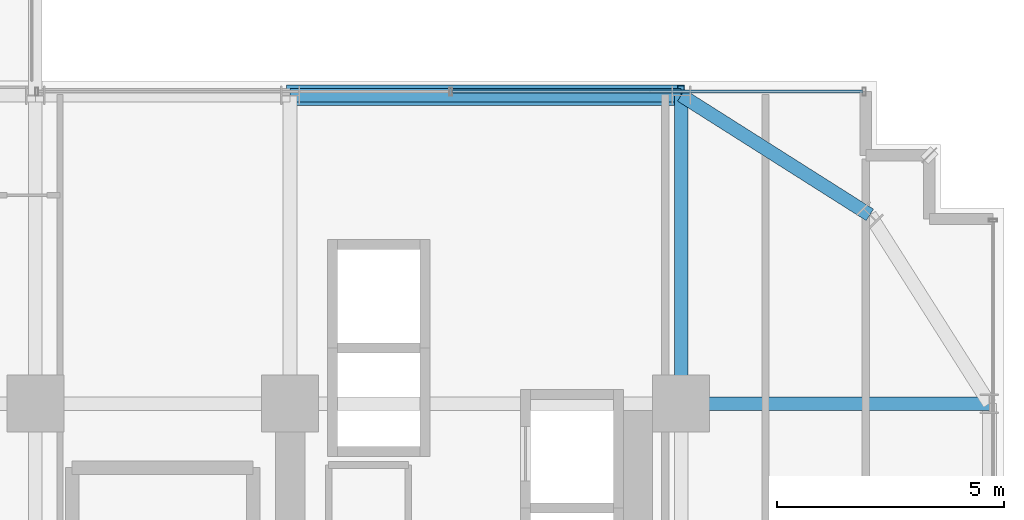
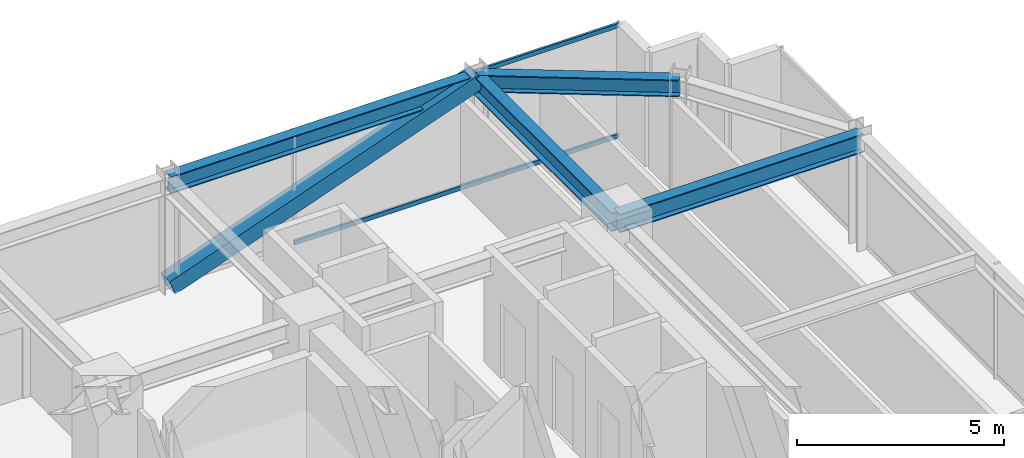
# One storey, part 23 of 40: 4 beams, 3 members, 1 element without a shape of its own.
"""IFC4 building model written with IfcOpenShell, lengths in metres."""

from ifc_helpers import new_model, si_unit, direction, frame, origin, origin_2d, place, context, subcontext, project, spatial, hollow_rectangle, i_section, extrude, source, transform, mapped, material, material_profile, profile_set, type_object, element, aggregate, save


model = new_model("IFC4")

# Units and contexts
model_context = context("Model", 3, precision=1e-05, world=origin(), true_north=direction((0.0, 1.0)))
body_context = subcontext(model_context, "Body", "Model", "MODEL_VIEW")
ifc_project = project(units=[si_unit("LENGTHUNIT", "METRE"), si_unit("AREAUNIT", "SQUARE_METRE"), si_unit("VOLUMEUNIT", "CUBIC_METRE"), si_unit("PLANEANGLEUNIT", "RADIAN"), si_unit("MASSUNIT", "GRAM", prefix="KILO")], contexts=[model_context])

# Site, building, storey
site_placement = place(None, origin())
site = spatial("IfcSite", under=ifc_project, at=site_placement, CompositionType="ELEMENT")
building_placement = place(site_placement, origin())
building = spatial("IfcBuilding", under=site, at=building_placement, Name="Nahalor Promenade Grand Hotel", CompositionType="ELEMENT")
storey_placement = place(building_placement, frame((0.0, 0.0, 91.949951171875)))
storey = spatial("IfcBuildingStorey", under=building, at=storey_placement, Name="L22", CompositionType="ELEMENT", Elevation=91.949951171875)

# Beams
ifc_material_1 = material(Name="Steel S355JR", Category="steel")
ifc_material_profile_1 = material_profile(ifc_material_1, i_section(OverallWidth=0.3, OverallDepth=0.5, WebThickness=0.0145, FlangeThickness=0.028, at=origin_2d()), Name="HEB 500")
ifc_profile_set_1 = profile_set([ifc_material_profile_1], Name="Steel S355JR")
beam_type_1 = type_object("IfcBeamType", Name="Beam-Spandrel-HEB500", PredefinedType="SPANDREL", material=ifc_profile_set_1)
shared_shape_1 = source(origin(), body_context, "Body", "SweptSolid", [
    extrude(i_section(OverallWidth=0.3, OverallDepth=0.5, WebThickness=0.0145, FlangeThickness=0.028, at=origin_2d()), origin(), (0.0, 0.0, 1.0), 8.60009765625),
])
beam_1_placement = place(storey_placement, frame((8.39990234375, 23.780029296875, 3.130126953125), z_axis=(1.0, 0.0, 0.0), x_axis=(0.0, 1.0, 0.0)))
element("IfcBeam", 1, at=beam_1_placement, inside=storey, type_object=beam_type_1, Name="BM-L22-SP-N-4", PredefinedType="SPANDREL", context=body_context, shape_type="MappedRepresentation", body=[
    mapped(shared_shape_1, transform((0.0, 0.0, 0.0), scale=1.0)),
])
shared_shape_2 = source(origin(), body_context, "Body", "SweptSolid", [
    extrude(i_section(OverallWidth=0.3, OverallDepth=0.5, WebThickness=0.0145, FlangeThickness=0.028, at=origin_2d()), origin(), (0.0, 0.0, 1.0), 4.9130859375),
])
beam_2_placement = place(storey_placement, frame((17.0, 23.780029296875, 3.130126953125), z_axis=(0.844648325505, -0.535321591403, 0.0), x_axis=(0.535321591403, 0.844648325505, 0.0)))
element("IfcBeam", 2, at=beam_2_placement, inside=storey, type_object=beam_type_1, Name="BM-L22-SPC-NE-1", PredefinedType="SPANDREL", context=body_context, shape_type="MappedRepresentation", body=[
    mapped(shared_shape_2, transform((0.0, 0.0, 0.0), scale=1.0)),
])
ifc_material_profile_2 = material_profile(ifc_material_1, i_section(OverallWidth=0.3, OverallDepth=0.55, WebThickness=0.015, FlangeThickness=0.029, at=origin_2d()), Name="HEB 550")
ifc_profile_set_2 = profile_set([ifc_material_profile_2], Name="Steel S355JR")
beam_type_2 = type_object("IfcBeamType", Name="Beam-Girder-HEB550", PredefinedType="BEAM", material=ifc_profile_set_2)
shared_shape_3 = source(origin(), body_context, "Body", "SweptSolid", [
    extrude(i_section(OverallWidth=0.3, OverallDepth=0.55, WebThickness=0.015, FlangeThickness=0.029, at=origin_2d()), origin(), (0.0, 0.0, 1.0), 6.780029296875),
])
for number, where, z_axis, x_axis, name in (
    (3, (17.0, 17.0, 3.10498046875), (1.0, 0.0, 0.0), (0.0, 1.0, 0.0), "BM-L22-GX-3-6"),
    (4, (17.0, 17.0, 3.10498046875), (0.0, 1.0, 0.0), (-1.0, 0.0, 0.0), "BM-L22-GY-5-4"),
):
    element("IfcBeam", number, at=place(storey_placement, frame(where, z_axis=z_axis, x_axis=x_axis)), inside=storey, type_object=beam_type_2, Name=name, PredefinedType="BEAM", context=body_context, shape_type="MappedRepresentation", body=[
        mapped(shared_shape_3, transform((0.0, 0.0, 0.0), scale=1.0)),
    ])

# Member
ifc_material_2 = material(Name="Steel S355J2", Category="steel")
ifc_material_profile_3 = material_profile(ifc_material_2, hollow_rectangle(XDim=0.45, YDim=0.45, WallThickness=0.025, at=origin_2d()), Name="SHS 450x450x25")
ifc_profile_set_3 = profile_set([ifc_material_profile_3], Name="Steel S355J2")
member_type_1 = type_object("IfcMemberType", Name="Mem-ExoBrace-SHS450", PredefinedType="BRACE", material=ifc_profile_set_3)
shared_shape_4 = source(origin(), body_context, "Body", "SweptSolid", [
    extrude(hollow_rectangle(XDim=0.45, YDim=0.45, WallThickness=0.025, at=origin_2d()), origin(), (0.0, 0.0, 1.0), 9.135009765625),
])
member_1_placement = place(storey_placement, frame((8.39990234375, 23.780029296875, 0.150146484375), z_axis=(0.941451323466, 0.0, 0.337148936738), x_axis=(0.0, 1.0, 0.0)))
element("IfcMember", 5, at=member_1_placement, inside=storey, type_object=member_type_1, Name="EXO-L22-N-1", PredefinedType="BRACE", context=body_context, shape_type="MappedRepresentation", body=[
    mapped(shared_shape_4, transform((0.0, 0.0, 0.0), scale=1.0)),
])

# Curtain wall, members
ifc_material_3 = material(Name="Anodised Bronze Aluminium EN AW-6063 T6", Category="aluminium")
curtain_wall_type = type_object("IfcCurtainWallType", Name="CW2 Typical Hotel Flush Bronze Unitised Curtain Wall", PredefinedType="USERDEFINED", material=ifc_material_3)
curtain_wall_placement = place(storey_placement, origin())
curtain_wall = element("IfcCurtainWall", 6, at=curtain_wall_placement, inside=storey, type_object=curtain_wall_type, Name="L22 Curtain Wall CW-L22-N-3", ObjectType="UNITISED_CURTAIN_WALL", PredefinedType="USERDEFINED")
ifc_material_profile_4 = material_profile(ifc_material_3, hollow_rectangle(XDim=0.065, YDim=0.13, WallThickness=0.004, at=origin_2d()), Name="CWT 65x130x4")
ifc_profile_set_4 = profile_set([ifc_material_profile_4], Name="Anodised Bronze Aluminium EN AW-6063 T6")
member_type_2 = type_object("IfcMemberType", Name="CWT2 Typical Bronze Transom 65x130", PredefinedType="USERDEFINED", material=ifc_profile_set_4)
shared_shape_5 = source(origin(), body_context, "Body", "SweptSolid", [
    extrude(hollow_rectangle(XDim=0.065, YDim=0.13, WallThickness=0.004, at=origin_2d()), origin(), (0.0, 0.0, 1.0), 9.03271484375),
])
member_2_placement = place(storey_placement, frame((11.96240234375, 23.860107421875, 0.06494140625), z_axis=(1.0, 0.0, 0.0), x_axis=(0.0, 1.0, 0.0)))
member_2 = element("IfcMember", 7, at=member_2_placement, type_object=member_type_2, Name="CW-L22-N-3 Transom 1-0", ObjectType="TRANSOM", PredefinedType="USERDEFINED", context=body_context, shape_type="MappedRepresentation", body=[
    mapped(shared_shape_5, transform((0.0, 0.0, 0.0), scale=1.0)),
])
member_3_placement = place(storey_placement, frame((11.96240234375, 23.860107421875, 3.31494140625), z_axis=(1.0, 0.0, 0.0), x_axis=(0.0, 1.0, 0.0)))
member_3 = element("IfcMember", 8, at=member_3_placement, type_object=member_type_2, Name="CW-L22-N-3 Transom 1-1", ObjectType="TRANSOM", PredefinedType="USERDEFINED", context=body_context, shape_type="MappedRepresentation", body=[
    mapped(shared_shape_5, transform((0.0, 0.0, 0.0), scale=1.0)),
])
aggregate(curtain_wall, [member_2, member_3])

save(model, "model.ifc")
